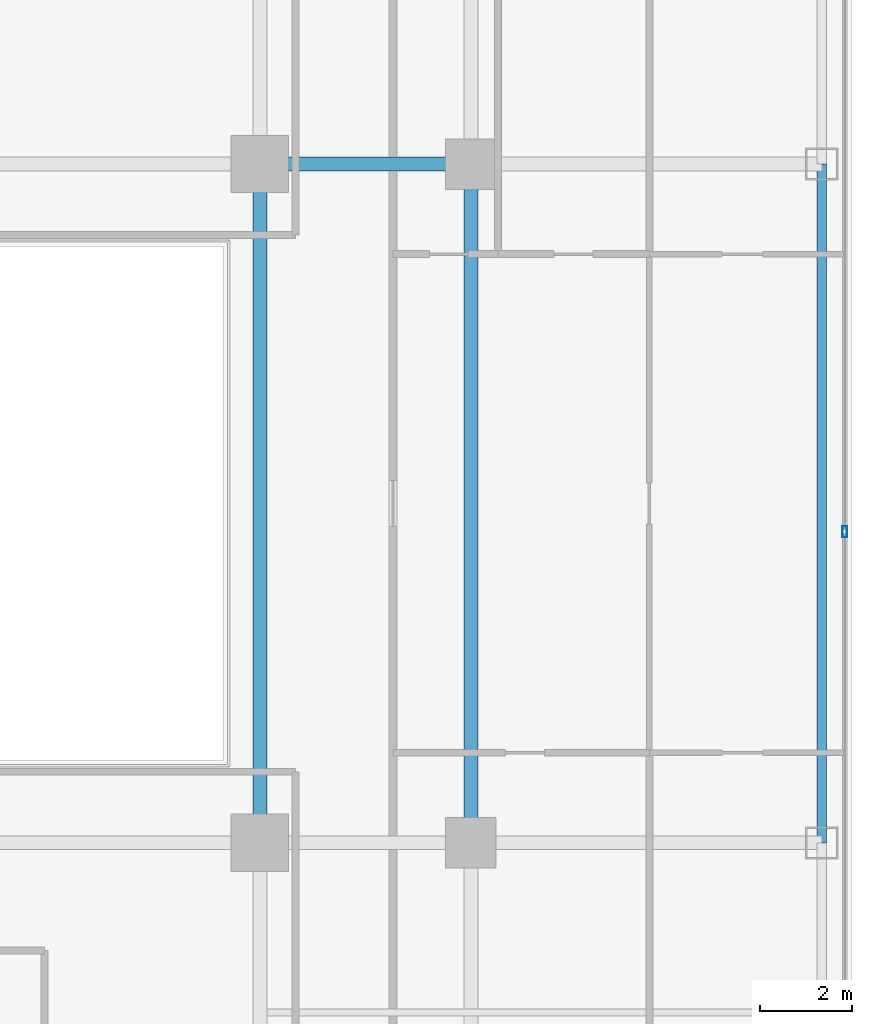
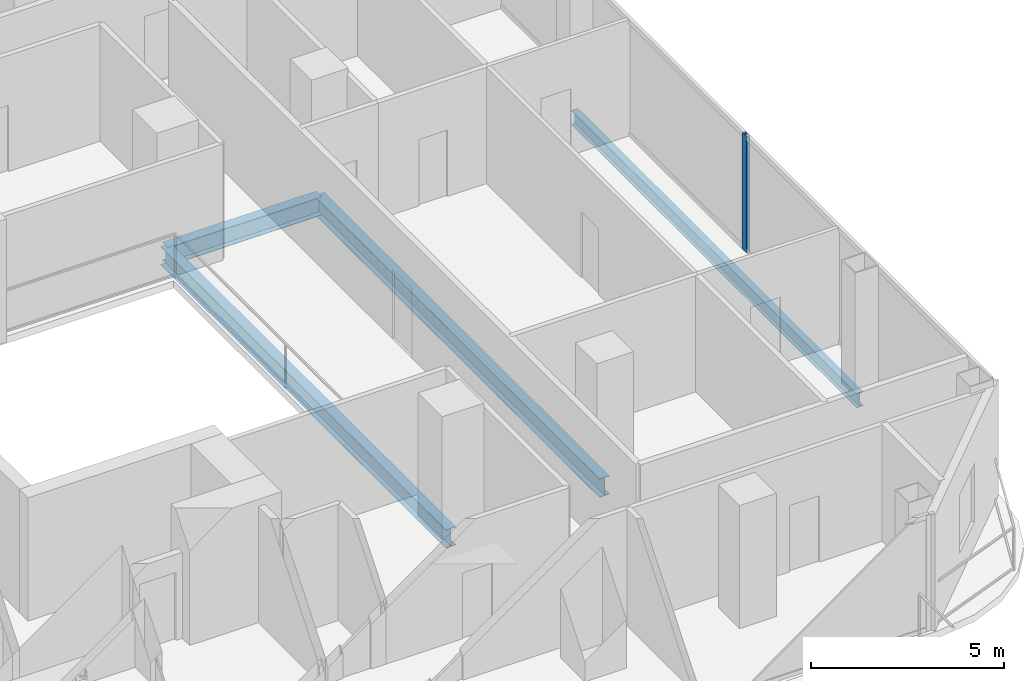
# One storey, part 10 of 26: 4 beams, 1 member, 1 element without a shape of its own.
"""IFC4 building model written with IfcOpenShell, lengths in metres."""

from ifc_helpers import new_model, si_unit, direction, frame, origin, origin_2d, place, context, subcontext, project, spatial, hollow_rectangle, i_section, extrude, material, layer, layer_set, material_profile, profile_set, type_object, element, aggregate, save


model = new_model("IFC4")

# Units and contexts
model_context = context("Model", 3, precision=1e-05, world=origin(), true_north=direction((0.0, 1.0)))
body_context = subcontext(model_context, "Body", "Model", "MODEL_VIEW")
ifc_project = project(units=[si_unit("LENGTHUNIT", "METRE"), si_unit("AREAUNIT", "SQUARE_METRE"), si_unit("VOLUMEUNIT", "CUBIC_METRE"), si_unit("PLANEANGLEUNIT", "RADIAN"), si_unit("MASSUNIT", "GRAM", prefix="KILO")], contexts=[model_context])

# Site, building, storey
site_placement = place(None, origin())
site = spatial("IfcSite", under=ifc_project, at=site_placement, CompositionType="ELEMENT")
building_placement = place(site_placement, origin())
building = spatial("IfcBuilding", under=site, at=building_placement, Name="Khorvyn Point Tower", CompositionType="ELEMENT")
storey_placement = place(building_placement, frame((0.0, 0.0, 113.39990234375)))
storey = spatial("IfcBuildingStorey", under=building, at=storey_placement, Name="L28", CompositionType="ELEMENT", Elevation=113.39990234375)

# Curtain wall, member
ifc_material_1 = material(Name="Anodised aluminium 6063-T6 and laminated Low-E glass", Category="aluminium")
ifc_layer = layer(ifc_material_1, 0.18994140625)
ifc_layer_set = layer_set([ifc_layer], Name="Stick-Built Acoustic Curtain Wall CW-SYS-03")
curtain_wall_type = type_object("IfcCurtainWallType", Name="Stick-Built Acoustic Curtain Wall CW-SYS-03", PredefinedType="NOTDEFINED", material=ifc_layer_set)
curtain_wall_placement = place(storey_placement, origin())
curtain_wall = element("IfcCurtainWall", 1, at=curtain_wall_placement, inside=storey, type_object=curtain_wall_type, Name="Curtain Wall", PredefinedType="NOTDEFINED")
ifc_material_2 = material(Name="Anodised aluminium 6063-T6", Category="aluminium")
ifc_material_profile_1 = material_profile(ifc_material_2, hollow_rectangle(XDim=0.10009765625, YDim=0.239990234375, WallThickness=0.0048828125, at=origin_2d()))
ifc_profile_set_1 = profile_set([ifc_material_profile_1], Name="Anodised aluminium 6063-T6 ALU-MUL-100x240")
member_type = type_object("IfcMemberType", Name="Anodised Aluminium 6063-T6 Mullion ALU-MUL-100x240", PredefinedType="MULLION", material=ifc_profile_set_1)
member_placement = place(storey_placement, frame((27.550048828125, -0.61669921875, 0.0), z_axis=(0.0, 0.0, 1.0), x_axis=(1.0, 0.0, 0.0)))
member = element("IfcMember", 2, at=member_placement, type_object=member_type, Name="Transom", PredefinedType="MULLION", context=body_context, shape_type="SweptSolid", body=[
    extrude(hollow_rectangle(XDim=0.10009765625, YDim=0.239990234375, WallThickness=0.0048828125, at=origin_2d()), origin(), (0.0, 0.0, 1.0), 3.68017578125),
])
aggregate(curtain_wall, [member])

# Beams
ifc_material_3 = material(Name="Steel S355", Category="steel")
ifc_material_profile_2 = material_profile(ifc_material_3, i_section(OverallWidth=0.300048828125, OverallDepth=0.587890625, WebThickness=0.011962890625, FlangeThickness=0.02001953125, at=origin_2d()))
ifc_profile_set_2 = profile_set([ifc_material_profile_2], Name="Steel S355 H588x300x12x20")
beam_type_1 = type_object("IfcBeamType", Name="Steel S355 Beam H588x300x12x20", PredefinedType="BEAM", material=ifc_profile_set_2)
beam_1_placement = place(storey_placement, frame((14.800048828125, 7.39990234375, -0.513916015625), z_axis=(1.0, 0.0, 0.0), x_axis=(0.0, 1.0, 0.0)))
element("IfcBeam", 3, at=beam_1_placement, inside=storey, type_object=beam_type_1, Name="Beam", PredefinedType="BEAM", context=body_context, shape_type="SweptSolid", body=[
    extrude(i_section(OverallWidth=0.300048828125, OverallDepth=0.587890625, WebThickness=0.011962890625, FlangeThickness=0.02001953125, at=origin_2d()), origin(), (0.0, 0.0, 1.0), 4.599853515625),
])
for number, where, z_axis, x_axis, name in (
    (4, (14.800048828125, -7.39990234375, -0.513916015625), (0.0, 1.0, 0.0), (-1.0, 0.0, 0.0), "Beam"),
    (5, (19.39990234375, -7.39990234375, -0.513916015625), (0.0, 1.0, 0.0), (-1.0, 0.0, 0.0), "Beam"),
):
    element("IfcBeam", number, at=place(storey_placement, frame(where, z_axis=z_axis, x_axis=x_axis)), inside=storey, type_object=beam_type_1, Name=name, PredefinedType="BEAM", context=body_context, shape_type="SweptSolid", body=[
        extrude(i_section(OverallWidth=0.300048828125, OverallDepth=0.587890625, WebThickness=0.011962890625, FlangeThickness=0.02001953125, at=origin_2d()), origin(), (0.0, 0.0, 1.0), 14.7998046875),
    ])
ifc_material_profile_3 = material_profile(ifc_material_3, i_section(OverallWidth=0.199951171875, OverallDepth=0.449951171875, WebThickness=0.009033203125, FlangeThickness=0.013916015625, at=origin_2d()))
ifc_profile_set_3 = profile_set([ifc_material_profile_3], Name="Steel S355 H450x200x9x14")
beam_type_2 = type_object("IfcBeamType", Name="Steel S355 Spandrel H450x200x9x14", PredefinedType="SPANDREL", material=ifc_profile_set_3)
beam_2_placement = place(storey_placement, frame((27.050048828125, -7.39990234375, -0.44482421875), z_axis=(0.0, 1.0, 0.0), x_axis=(-1.0, 0.0, 0.0)))
element("IfcBeam", 6, at=beam_2_placement, inside=storey, type_object=beam_type_2, Name="Beam", PredefinedType="SPANDREL", context=body_context, shape_type="SweptSolid", body=[
    extrude(i_section(OverallWidth=0.199951171875, OverallDepth=0.449951171875, WebThickness=0.009033203125, FlangeThickness=0.013916015625, at=origin_2d()), origin(), (0.0, 0.0, 1.0), 14.7998046875),
])

save(model, "model.ifc")
